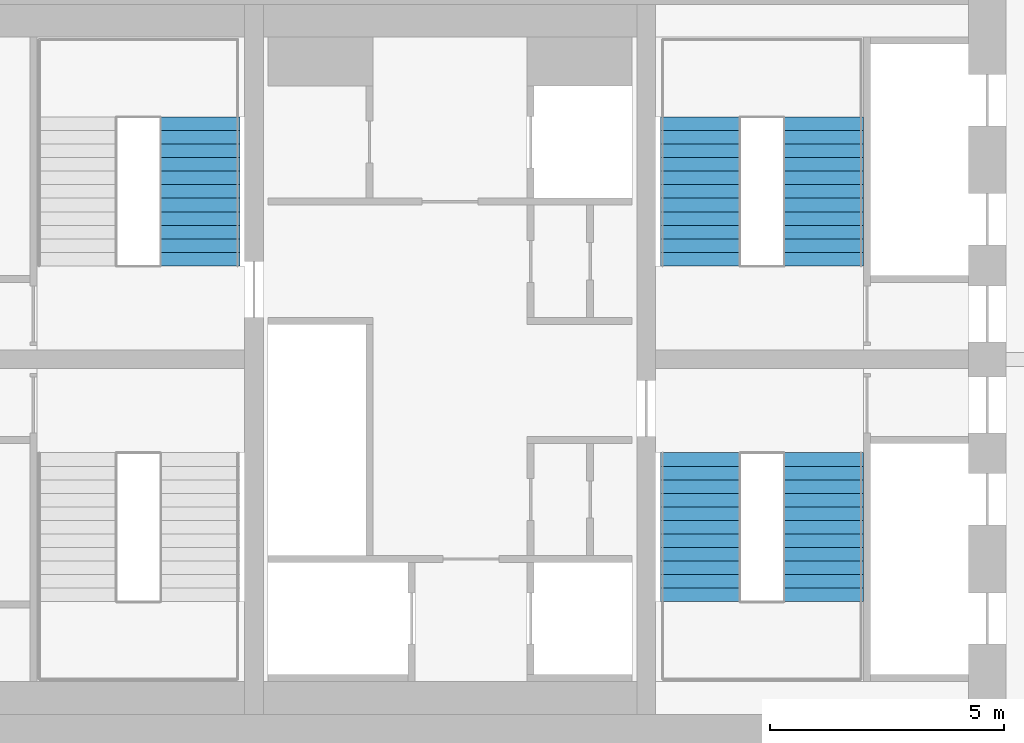
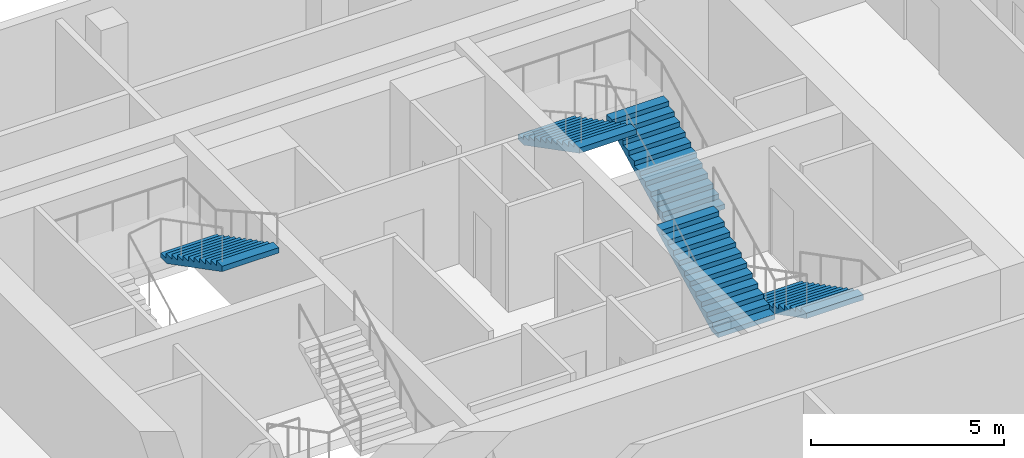
# One storey, part 27 of 28: 5 stair flights, 3 elements without a shape of their own.
"""IFC4 building model written with IfcOpenShell, lengths in metres."""

from ifc_helpers import new_model, si_unit, direction, frame, origin, place, context, subcontext, project, spatial, polyline, outline, extrude, material, type_object, element, aggregate, save


model = new_model("IFC4")

# Units and contexts
model_context = context("Model", 3, precision=1e-05, world=origin(), true_north=direction((0.0, 1.0)))
body_context = subcontext(model_context, "Body", "Model", "MODEL_VIEW")
ifc_project = project(units=[si_unit("LENGTHUNIT", "METRE"), si_unit("AREAUNIT", "SQUARE_METRE"), si_unit("VOLUMEUNIT", "CUBIC_METRE"), si_unit("PLANEANGLEUNIT", "RADIAN"), si_unit("MASSUNIT", "GRAM", prefix="KILO")], contexts=[model_context])

# Site, building, storey
site_placement = place(None, origin())
site = spatial("IfcSite", under=ifc_project, at=site_placement, CompositionType="ELEMENT")
building_placement = place(site_placement, origin())
building = spatial("IfcBuilding", under=site, at=building_placement, Name="Marenta Gate Hotel Tower", CompositionType="ELEMENT")
storey_placement = place(building_placement, frame((0.0, 0.0, 198.5)))
storey = spatial("IfcBuildingStorey", under=building, at=storey_placement, Name="L45", CompositionType="ELEMENT", Elevation=198.5)

# Stair, stair flight
ifc_material_1 = material(Name="Concrete C40", Category="concrete")
stair_type = type_object("IfcStairType", Name="Core exit stair 1700 wide", PredefinedType="HALF_TURN_STAIR", material=ifc_material_1)
stair_1_placement = place(storey_placement, origin())
stair_1 = element("IfcStair", 1, at=stair_1_placement, inside=storey, type_object=stair_type, Name="Exit stair 2", PredefinedType="HALF_TURN_STAIR")
ifc_material_2 = material(Name="Concrete C40", Category="concrete")
stair_flight_type = type_object("IfcStairFlightType", Name="Core stair flight 1700 riser 150.0 going 290", PredefinedType="STRAIGHT", material=ifc_material_2)
stair_flight_1_placement = place(storey_placement, frame((-5.35009765625, 13.590087890625, 1.800048828125), z_axis=(0.0, 0.0, 1.0), x_axis=(0.0, -1.0, 0.0)))
stair_flight_1 = element("IfcStairFlight", 2, at=stair_flight_1_placement, type_object=stair_flight_type, Name="ST2 flight 2", NumberOfRisers=12, NumberOfTreads=11, PredefinedType="STRAIGHT", RiserHeight=0.15, TreadLength=0.29, context=body_context, shape_type="SweptSolid", body=[
    extrude(outline(polyline([(0.0, 0.0), (0.0, 0.14990234375), (0.2900390625, 0.14990234375), (0.2900390625, 0.300048828125), (0.580078125, 0.300048828125), (0.580078125, 0.449951171875), (0.8701171875, 0.449951171875), (0.8701171875, 0.60009765625), (1.159912109375, 0.60009765625), (1.159912109375, 0.75), (1.449951171875, 0.75), (1.449951171875, 0.89990234375), (1.739990234375, 0.89990234375), (1.739990234375, 1.050048828125), (2.030029296875, 1.050048828125), (2.030029296875, 1.199951171875), (2.320068359375, 1.199951171875), (2.320068359375, 1.35009765625), (2.610107421875, 1.35009765625), (2.610107421875, 1.5), (2.89990234375, 1.5), (2.89990234375, 1.64990234375), (3.18994140625, 1.64990234375), (3.18994140625, 1.800048828125), (3.18994140625, 1.481201171875), (0.326171875, 0.0), (0.0, 0.0)])), frame((0.0, 0.85009765625, 0.0), z_axis=(0.0, -1.0, 0.0), x_axis=(1.0, 0.0, 0.0)), (0.0, 0.0, 1.0), 1.699951171875),
])
aggregate(stair_1, [stair_flight_1])

# Stair, stair flights
stair_2_placement = place(storey_placement, origin())
stair_2 = element("IfcStair", 3, at=stair_2_placement, inside=storey, type_object=stair_type, Name="Exit stair 3", PredefinedType="HALF_TURN_STAIR")
stair_flight_2_placement = place(storey_placement, frame((8.0, 6.39990234375, 0.0), z_axis=(0.0, 0.0, 1.0), x_axis=(0.0, -1.0, 0.0)))
stair_flight_2 = element("IfcStairFlight", 4, at=stair_flight_2_placement, type_object=stair_flight_type, Name="ST3 flight 1", NumberOfRisers=12, NumberOfTreads=11, PredefinedType="STRAIGHT", RiserHeight=0.15, TreadLength=0.29, context=body_context, shape_type="SweptSolid", body=[
    extrude(outline(polyline([(0.0, 0.0), (0.0, 0.14990234375), (0.2900390625, 0.14990234375), (0.2900390625, 0.300048828125), (0.580078125, 0.300048828125), (0.580078125, 0.449951171875), (0.8701171875, 0.449951171875), (0.8701171875, 0.60009765625), (1.159912109375, 0.60009765625), (1.159912109375, 0.75), (1.449951171875, 0.75), (1.449951171875, 0.89990234375), (1.739990234375, 0.89990234375), (1.739990234375, 1.050048828125), (2.030029296875, 1.050048828125), (2.030029296875, 1.199951171875), (2.320068359375, 1.199951171875), (2.320068359375, 1.35009765625), (2.610107421875, 1.35009765625), (2.610107421875, 1.5), (2.89990234375, 1.5), (2.89990234375, 1.64990234375), (3.18994140625, 1.64990234375), (3.18994140625, 1.800048828125), (3.18994140625, 1.481201171875), (0.326171875, 0.0), (0.0, 0.0)])), frame((0.0, 0.85009765625, 0.0), z_axis=(0.0, -1.0, 0.0), x_axis=(1.0, 0.0, 0.0)), (0.0, 0.0, 1.0), 1.699951171875),
])
stair_flight_3_placement = place(storey_placement, frame((5.35009765625, 3.2099609375, 1.800048828125), z_axis=(0.0, 0.0, 1.0), x_axis=(0.0, 1.0, 0.0)))
stair_flight_3 = element("IfcStairFlight", 5, at=stair_flight_3_placement, type_object=stair_flight_type, Name="ST3 flight 2", NumberOfRisers=12, NumberOfTreads=11, PredefinedType="STRAIGHT", RiserHeight=0.15, TreadLength=0.29, context=body_context, shape_type="SweptSolid", body=[
    extrude(outline(polyline([(0.0, 0.0), (0.0, 0.14990234375), (0.2900390625, 0.14990234375), (0.2900390625, 0.300048828125), (0.580078125, 0.300048828125), (0.580078125, 0.449951171875), (0.8701171875, 0.449951171875), (0.8701171875, 0.60009765625), (1.159912109375, 0.60009765625), (1.159912109375, 0.75), (1.449951171875, 0.75), (1.449951171875, 0.89990234375), (1.739990234375, 0.89990234375), (1.739990234375, 1.050048828125), (2.030029296875, 1.050048828125), (2.030029296875, 1.199951171875), (2.320068359375, 1.199951171875), (2.320068359375, 1.35009765625), (2.610107421875, 1.35009765625), (2.610107421875, 1.5), (2.89990234375, 1.5), (2.89990234375, 1.64990234375), (3.18994140625, 1.64990234375), (3.18994140625, 1.800048828125), (3.18994140625, 1.481201171875), (0.326171875, 0.0), (0.0, 0.0)])), frame((0.0, 0.85009765625, 0.0), z_axis=(0.0, -1.0, 0.0), x_axis=(1.0, 0.0, 0.0)), (0.0, 0.0, 1.0), 1.699951171875),
])
aggregate(stair_2, [stair_flight_2, stair_flight_3])

stair_3_placement = place(storey_placement, origin())
stair_3 = element("IfcStair", 6, at=stair_3_placement, inside=storey, type_object=stair_type, Name="Exit stair 4", PredefinedType="HALF_TURN_STAIR")
stair_flight_4_placement = place(storey_placement, frame((8.0, 10.39990234375, 0.0), z_axis=(0.0, 0.0, 1.0), x_axis=(0.0, 1.0, 0.0)))
stair_flight_4 = element("IfcStairFlight", 7, at=stair_flight_4_placement, type_object=stair_flight_type, Name="ST4 flight 1", NumberOfRisers=12, NumberOfTreads=11, PredefinedType="STRAIGHT", RiserHeight=0.15, TreadLength=0.29, context=body_context, shape_type="SweptSolid", body=[
    extrude(outline(polyline([(0.0, 0.0), (0.0, 0.14990234375), (0.2900390625, 0.14990234375), (0.2900390625, 0.300048828125), (0.580078125, 0.300048828125), (0.580078125, 0.449951171875), (0.8701171875, 0.449951171875), (0.8701171875, 0.60009765625), (1.159912109375, 0.60009765625), (1.159912109375, 0.75), (1.449951171875, 0.75), (1.449951171875, 0.89990234375), (1.739990234375, 0.89990234375), (1.739990234375, 1.050048828125), (2.030029296875, 1.050048828125), (2.030029296875, 1.199951171875), (2.320068359375, 1.199951171875), (2.320068359375, 1.35009765625), (2.610107421875, 1.35009765625), (2.610107421875, 1.5), (2.89990234375, 1.5), (2.89990234375, 1.64990234375), (3.18994140625, 1.64990234375), (3.18994140625, 1.800048828125), (3.18994140625, 1.481201171875), (0.326171875, 0.0), (0.0, 0.0)])), frame((0.0, 0.85009765625, 0.0), z_axis=(0.0, -1.0, 0.0), x_axis=(1.0, 0.0, 0.0)), (0.0, 0.0, 1.0), 1.699951171875),
])
stair_flight_5_placement = place(storey_placement, frame((5.35009765625, 13.590087890625, 1.800048828125), z_axis=(0.0, 0.0, 1.0), x_axis=(0.0, -1.0, 0.0)))
stair_flight_5 = element("IfcStairFlight", 8, at=stair_flight_5_placement, type_object=stair_flight_type, Name="ST4 flight 2", NumberOfRisers=12, NumberOfTreads=11, PredefinedType="STRAIGHT", RiserHeight=0.15, TreadLength=0.29, context=body_context, shape_type="SweptSolid", body=[
    extrude(outline(polyline([(0.0, 0.0), (0.0, 0.14990234375), (0.2900390625, 0.14990234375), (0.2900390625, 0.300048828125), (0.580078125, 0.300048828125), (0.580078125, 0.449951171875), (0.8701171875, 0.449951171875), (0.8701171875, 0.60009765625), (1.159912109375, 0.60009765625), (1.159912109375, 0.75), (1.449951171875, 0.75), (1.449951171875, 0.89990234375), (1.739990234375, 0.89990234375), (1.739990234375, 1.050048828125), (2.030029296875, 1.050048828125), (2.030029296875, 1.199951171875), (2.320068359375, 1.199951171875), (2.320068359375, 1.35009765625), (2.610107421875, 1.35009765625), (2.610107421875, 1.5), (2.89990234375, 1.5), (2.89990234375, 1.64990234375), (3.18994140625, 1.64990234375), (3.18994140625, 1.800048828125), (3.18994140625, 1.481201171875), (0.326171875, 0.0), (0.0, 0.0)])), frame((0.0, 0.85009765625, 0.0), z_axis=(0.0, -1.0, 0.0), x_axis=(1.0, 0.0, 0.0)), (0.0, 0.0, 1.0), 1.699951171875),
])
aggregate(stair_3, [stair_flight_4, stair_flight_5])

save(model, "model.ifc")
